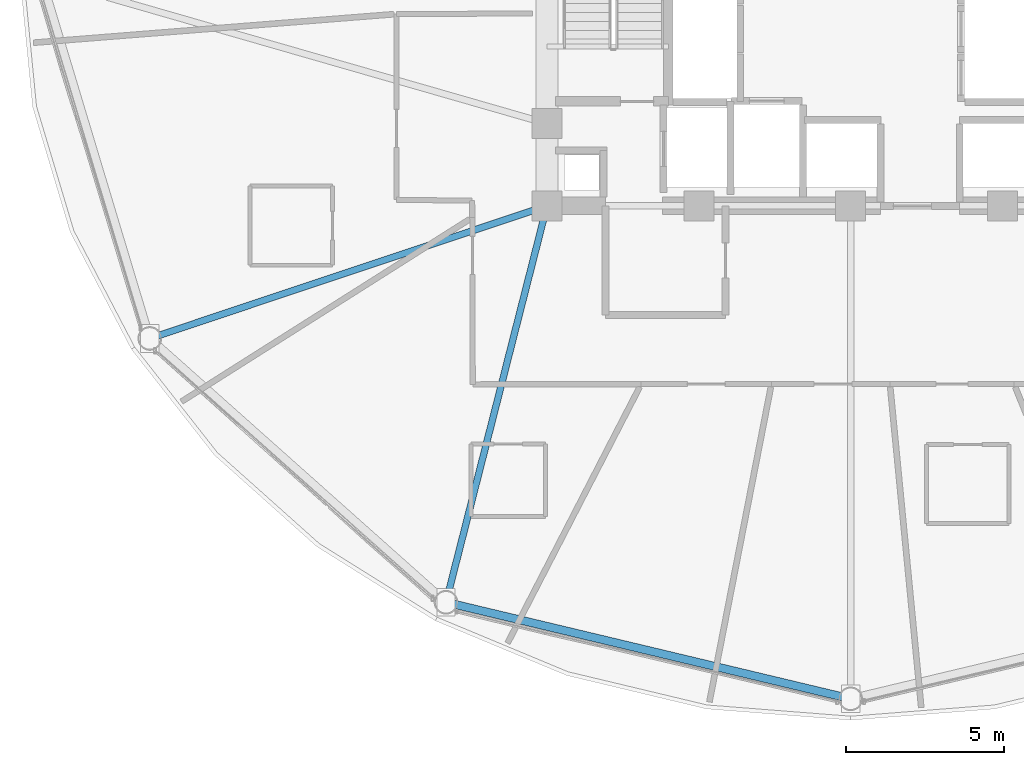
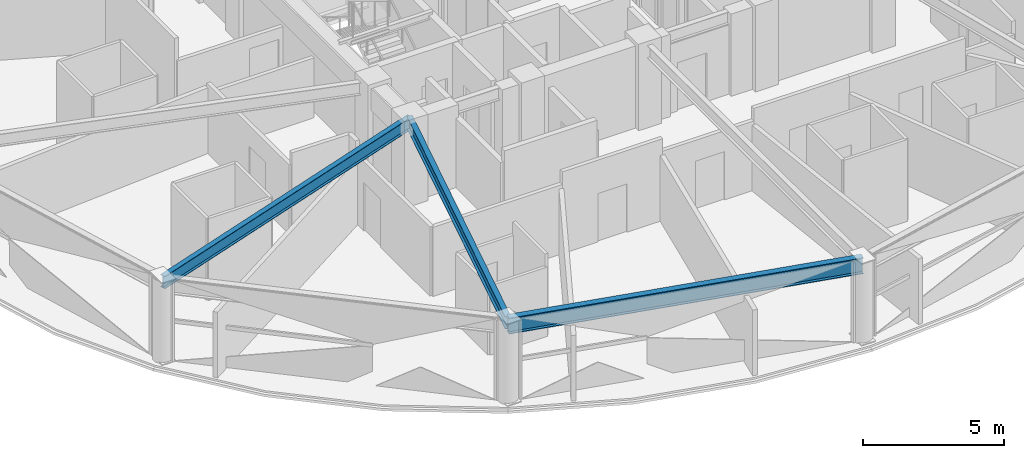
# One storey, part 4 of 32: 3 beams.
"""IFC4 building model written with IfcOpenShell, lengths in metres."""

from ifc_helpers import new_model, si_unit, direction, frame, origin, origin_2d, place, context, subcontext, project, spatial, i_section, extrude, material, material_profile, profile_set, type_object, element, save


model = new_model("IFC4")

# Units and contexts
model_context = context("Model", 3, precision=1e-05, world=origin(), true_north=direction((0.0, 1.0)))
body_context = subcontext(model_context, "Body", "Model", "MODEL_VIEW")
ifc_project = project(units=[si_unit("LENGTHUNIT", "METRE"), si_unit("AREAUNIT", "SQUARE_METRE"), si_unit("VOLUMEUNIT", "CUBIC_METRE"), si_unit("PLANEANGLEUNIT", "RADIAN"), si_unit("MASSUNIT", "GRAM", prefix="KILO")], contexts=[model_context])

# Site, building, storey
site_placement = place(None, origin())
site = spatial("IfcSite", under=ifc_project, at=site_placement, CompositionType="ELEMENT")
building_placement = place(site_placement, origin())
building = spatial("IfcBuilding", under=site, at=building_placement, Name="Vantalir Tower", CompositionType="ELEMENT")
storey_placement = place(building_placement, frame((0.0, 0.0, 100.949951171875)))
storey = spatial("IfcBuildingStorey", under=building, at=storey_placement, Name="L24", CompositionType="ELEMENT", Elevation=100.949951171875)

# Beams
ifc_material_1 = material(Name="Steel S355", Category="steel")
ifc_material_profile_1 = material_profile(ifc_material_1, i_section(OverallWidth=0.2109375, OverallDepth=0.5390625, WebThickness=0.01171875, FlangeThickness=0.018798828125, at=origin_2d()), Name="Steel S355")
ifc_profile_set_1 = profile_set([ifc_material_profile_1], Name="Steel S355")
beam_type_1 = type_object("IfcBeamType", Name="BM-RB-533x210", PredefinedType="BEAM", material=ifc_profile_set_1)
beam_1_placement = place(storey_placement, frame((9.340087890625, 13.60595703125, 3.300048828125), z_axis=(0.948513537224, 0.316736593565, 0.0), x_axis=(-0.316736593565, 0.948513537224, 0.0)))
element("IfcBeam", 1, at=beam_1_placement, inside=storey, type_object=beam_type_1, Name="L24 Radial Floor Beam 08", PredefinedType="BEAM", context=body_context, shape_type="SweptSolid", body=[
    extrude(i_section(OverallWidth=0.2109375, OverallDepth=0.5390625, WebThickness=0.01171875, FlangeThickness=0.018798828125, at=origin_2d()), origin(), (0.0, 0.0, 1.0), 13.241455078125),
])
beam_2_placement = place(storey_placement, frame((18.7060546875, 5.264892578125, 3.300048828125), z_axis=(0.246902931602, 0.969040217105, 0.0), x_axis=(-0.969040217105, 0.246902931602, 0.0)))
element("IfcBeam", 2, at=beam_2_placement, inside=storey, type_object=beam_type_1, Name="L24 Radial Floor Beam 09", PredefinedType="BEAM", context=body_context, shape_type="SweptSolid", body=[
    extrude(i_section(OverallWidth=0.2109375, OverallDepth=0.5390625, WebThickness=0.01171875, FlangeThickness=0.018798828125, at=origin_2d()), origin(), (0.0, 0.0, 1.0), 12.935546875),
])
ifc_material_2 = material(Name="Steel S460", Category="steel")
ifc_material_profile_2 = material_profile(ifc_material_2, i_section(OverallWidth=0.256103515625, OverallDepth=0.693115234375, WebThickness=0.014404296875, FlangeThickness=0.023681640625, at=origin_2d()), Name="Steel S460")
ifc_profile_set_2 = profile_set([ifc_material_profile_2], Name="Steel S460")
beam_type_2 = type_object("IfcBeamType", Name="BM-RG-686x254", PredefinedType="USERDEFINED", material=ifc_profile_set_2)
beam_3_placement = place(storey_placement, frame((18.7060546875, 5.264892578125, 3.22314453125), z_axis=(0.972689585219, -0.232109824883, 0.0), x_axis=(0.232109824883, 0.972689585219, 0.0)))
element("IfcBeam", 3, at=beam_3_placement, inside=storey, type_object=beam_type_2, Name="L24 Circumferential Ring Girder 09", ObjectType="GIRDER", PredefinedType="USERDEFINED", context=body_context, shape_type="SweptSolid", body=[
    extrude(i_section(OverallWidth=0.256103515625, OverallDepth=0.693115234375, WebThickness=0.014404296875, FlangeThickness=0.023681640625, at=origin_2d()), origin(), (0.0, 0.0, 1.0), 13.153076171875),
])

save(model, "model.ifc")
